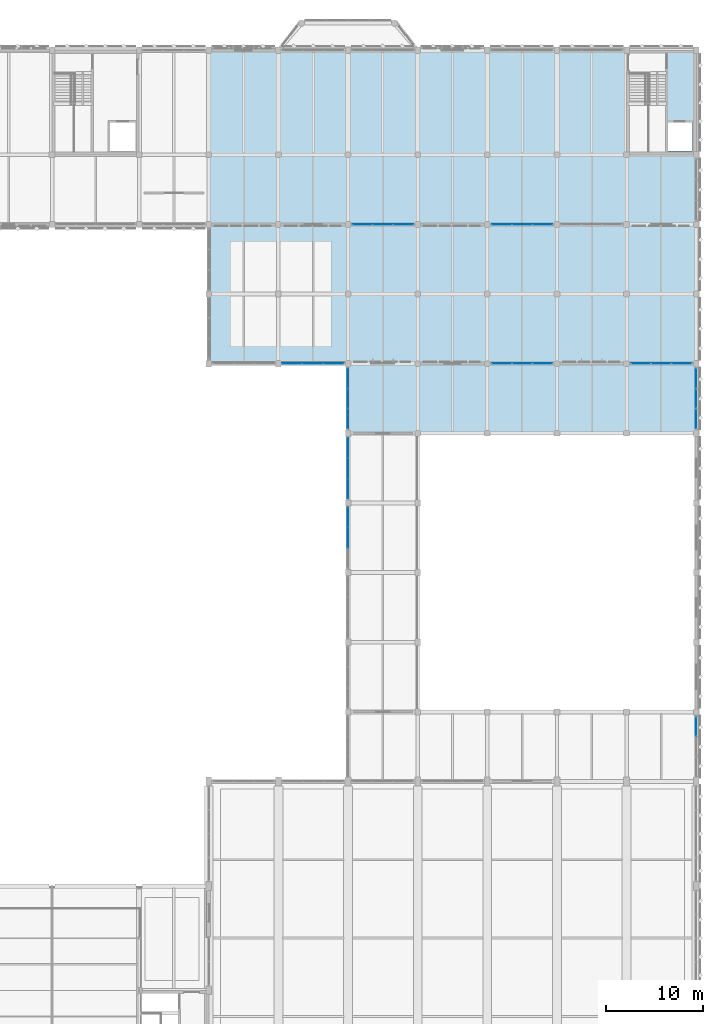
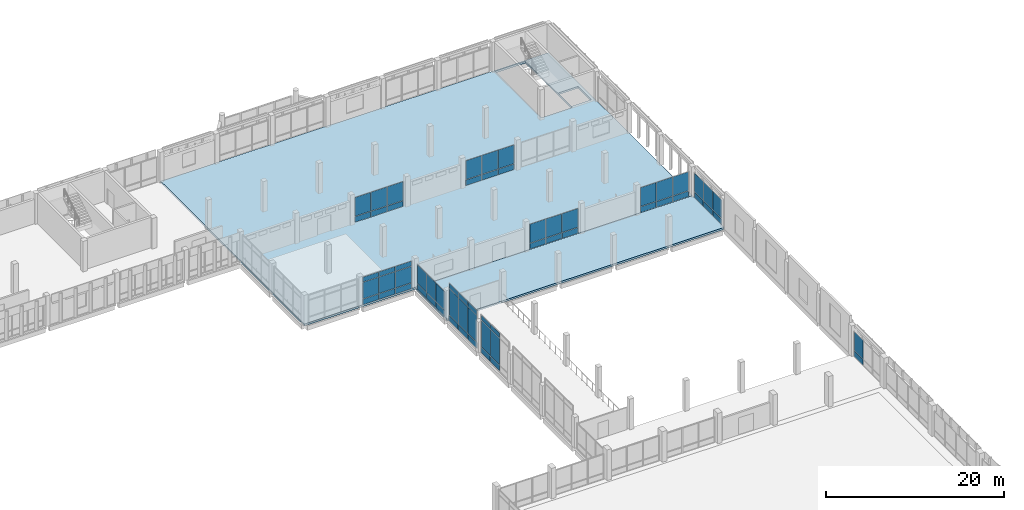
# One storey, part 127 of 158: 62 plates, 2 slabs, 10 elements without a shape of their own.
"""IFC4 building model written with IfcOpenShell, lengths in metres."""

from ifc_helpers import new_model, si_unit, direction, frame, origin, origin_2d, place, context, subcontext, project, spatial, polyline, rectangle, outline, extrude, material, layer, layer_set, type_object, element, aggregate, save


model = new_model("IFC4")

# Units and contexts
model_context = context("Model", 3, precision=1e-05, world=origin(), true_north=direction((0.0, 1.0)))
body_context = subcontext(model_context, "Body", "Model", "MODEL_VIEW")
ifc_project = project(units=[si_unit("LENGTHUNIT", "METRE"), si_unit("AREAUNIT", "SQUARE_METRE"), si_unit("VOLUMEUNIT", "CUBIC_METRE"), si_unit("PLANEANGLEUNIT", "RADIAN"), si_unit("MASSUNIT", "GRAM", prefix="KILO")], contexts=[model_context])

# Site, building, storey
site_placement = place(None, origin())
site = spatial("IfcSite", under=ifc_project, at=site_placement, CompositionType="ELEMENT")
building_placement = place(site_placement, origin())
building = spatial("IfcBuilding", under=site, at=building_placement, Name="Lusvemor Sports Hall", CompositionType="ELEMENT")
storey_placement = place(building_placement, frame((0.0, 0.0, 10.800048828125)))
storey = spatial("IfcBuildingStorey", under=building, at=storey_placement, Name="L02", CompositionType="ELEMENT", Elevation=10.800048828125)

# Curtain wall, plates
ifc_material_1 = material(Name="Thermally broken bronze-anodized aluminium", Category="aluminium")
curtain_wall_type_1 = type_object("IfcCurtainWallType", Name="CW_CLIMB_D", PredefinedType="NOTDEFINED", material=ifc_material_1)
curtain_wall_1_placement = place(storey_placement, origin())
curtain_wall_1 = element("IfcCurtainWall", 1, at=curtain_wall_1_placement, inside=storey, type_object=curtain_wall_type_1, Name="Curtain Wall CW-V3W-L02-2", PredefinedType="NOTDEFINED")
ifc_material_2 = material(Name="Solar-control laminated double glazing", Category="glass")
ifc_layer_1 = layer(ifc_material_2, 0.028076171875)
ifc_layer_set_1 = layer_set([ifc_layer_1], Name="Solar-control laminated double glazing")
plate_type_1 = type_object("IfcPlateType", Name="CW_PAN_GLZ_28", PredefinedType="CURTAIN_PANEL", material=ifc_layer_set_1)
plate_1_placement = place(storey_placement, frame((133.199951171875, 64.800048828125, 0.8798828125), z_axis=(0.0, 0.0, 1.0), x_axis=(0.0, 1.0, 0.0)))
plate_1 = element("IfcPlate", 2, at=plate_1_placement, type_object=plate_type_1, Name="CW04 panel 2.2", PredefinedType="CURTAIN_PANEL", context=body_context, shape_type="SweptSolid", body=[
    extrude(rectangle(XDim=2.054931640625, YDim=0.028076171875, at=origin_2d()), origin(), (0.0, 0.0, 1.0), 3.639892578125),
])
plate_2_placement = place(storey_placement, frame((133.199951171875, 64.800048828125, 4.580078125), z_axis=(0.0, 0.0, 1.0), x_axis=(0.0, 1.0, 0.0)))
plate_2 = element("IfcPlate", 3, at=plate_2_placement, type_object=plate_type_1, Name="CW04 panel 2.3", PredefinedType="CURTAIN_PANEL", context=body_context, shape_type="SweptSolid", body=[
    extrude(rectangle(XDim=2.054931640625, YDim=0.028076171875, at=origin_2d()), origin(), (0.0, 0.0, 1.0), 0.659912109375),
])
plate_3_placement = place(storey_placement, frame((133.199951171875, 66.90380859375, 0.8798828125), z_axis=(0.0, 0.0, 1.0), x_axis=(0.0, 1.0, 0.0)))
plate_3 = element("IfcPlate", 4, at=plate_3_placement, type_object=plate_type_1, Name="CW04 panel 3.2", PredefinedType="CURTAIN_PANEL", context=body_context, shape_type="SweptSolid", body=[
    extrude(rectangle(XDim=2.0224609375, YDim=0.028076171875, at=origin_2d()), origin(), (0.0, 0.0, 1.0), 3.639892578125),
])
plate_4_placement = place(storey_placement, frame((133.199951171875, 66.90380859375, 4.580078125), z_axis=(0.0, 0.0, 1.0), x_axis=(0.0, 1.0, 0.0)))
plate_4 = element("IfcPlate", 5, at=plate_4_placement, type_object=plate_type_1, Name="CW04 panel 3.3", PredefinedType="CURTAIN_PANEL", context=body_context, shape_type="SweptSolid", body=[
    extrude(rectangle(XDim=2.0224609375, YDim=0.028076171875, at=origin_2d()), origin(), (0.0, 0.0, 1.0), 0.659912109375),
])

curtain_wall_2_placement = place(storey_placement, origin())
curtain_wall_2 = element("IfcCurtainWall", 6, at=curtain_wall_2_placement, inside=storey, type_object=curtain_wall_type_1, Name="Curtain Wall CW-V3W-L02-3", PredefinedType="NOTDEFINED")
plate_5_placement = place(storey_placement, frame((133.199951171875, 69.896240234375, 0.8798828125), z_axis=(0.0, 0.0, 1.0), x_axis=(0.0, 1.0, 0.0)))
plate_5 = element("IfcPlate", 7, at=plate_5_placement, type_object=plate_type_1, Name="CW04 panel 1.2", PredefinedType="CURTAIN_PANEL", context=body_context, shape_type="SweptSolid", body=[
    extrude(rectangle(XDim=2.0224609375, YDim=0.028076171875, at=origin_2d()), origin(), (0.0, 0.0, 1.0), 3.639892578125),
])
plate_6_placement = place(storey_placement, frame((133.199951171875, 69.896240234375, 4.580078125), z_axis=(0.0, 0.0, 1.0), x_axis=(0.0, 1.0, 0.0)))
plate_6 = element("IfcPlate", 8, at=plate_6_placement, type_object=plate_type_1, Name="CW04 panel 1.3", PredefinedType="CURTAIN_PANEL", context=body_context, shape_type="SweptSolid", body=[
    extrude(rectangle(XDim=2.0224609375, YDim=0.028076171875, at=origin_2d()), origin(), (0.0, 0.0, 1.0), 0.659912109375),
])
plate_7_placement = place(storey_placement, frame((133.199951171875, 72.0, 0.8798828125), z_axis=(0.0, 0.0, 1.0), x_axis=(0.0, 1.0, 0.0)))
plate_7 = element("IfcPlate", 9, at=plate_7_placement, type_object=plate_type_1, Name="CW04 panel 2.2", PredefinedType="CURTAIN_PANEL", context=body_context, shape_type="SweptSolid", body=[
    extrude(rectangle(XDim=2.054931640625, YDim=0.028076171875, at=origin_2d()), origin(), (0.0, 0.0, 1.0), 3.639892578125),
])
plate_8_placement = place(storey_placement, frame((133.199951171875, 72.0, 4.580078125), z_axis=(0.0, 0.0, 1.0), x_axis=(0.0, 1.0, 0.0)))
plate_8 = element("IfcPlate", 10, at=plate_8_placement, type_object=plate_type_1, Name="CW04 panel 2.3", PredefinedType="CURTAIN_PANEL", context=body_context, shape_type="SweptSolid", body=[
    extrude(rectangle(XDim=2.054931640625, YDim=0.028076171875, at=origin_2d()), origin(), (0.0, 0.0, 1.0), 0.659912109375),
])
plate_9_placement = place(storey_placement, frame((133.199951171875, 74.103759765625, 0.8798828125), z_axis=(0.0, 0.0, 1.0), x_axis=(0.0, 1.0, 0.0)))
plate_9 = element("IfcPlate", 11, at=plate_9_placement, type_object=plate_type_1, Name="CW04 panel 3.2", PredefinedType="CURTAIN_PANEL", context=body_context, shape_type="SweptSolid", body=[
    extrude(rectangle(XDim=2.0224609375, YDim=0.028076171875, at=origin_2d()), origin(), (0.0, 0.0, 1.0), 3.639892578125),
])
plate_10_placement = place(storey_placement, frame((133.199951171875, 74.103759765625, 4.580078125), z_axis=(0.0, 0.0, 1.0), x_axis=(0.0, 1.0, 0.0)))
plate_10 = element("IfcPlate", 12, at=plate_10_placement, type_object=plate_type_1, Name="CW04 panel 3.3", PredefinedType="CURTAIN_PANEL", context=body_context, shape_type="SweptSolid", body=[
    extrude(rectangle(XDim=2.0224609375, YDim=0.028076171875, at=origin_2d()), origin(), (0.0, 0.0, 1.0), 0.659912109375),
])

ifc_material_3 = material(Name="Thermally broken bronze-anodized aluminium", Category="aluminium")
curtain_wall_type_2 = type_object("IfcCurtainWallType", Name="CW_WING_B", PredefinedType="NOTDEFINED", material=ifc_material_3)
curtain_wall_3_placement = place(storey_placement, origin())
curtain_wall_3 = element("IfcCurtainWall", 13, at=curtain_wall_3_placement, inside=storey, type_object=curtain_wall_type_2, Name="Curtain Wall CW-L02-S-3-12", PredefinedType="NOTDEFINED")
plate_11_placement = place(storey_placement, frame((138.90380859375, 97.199951171875, 0.8798828125), z_axis=(0.0, 0.0, 1.0), x_axis=(-1.0, 0.0, 0.0)))
plate_11 = element("IfcPlate", 14, at=plate_11_placement, type_object=plate_type_1, Name="CW02 panel 1.2", PredefinedType="CURTAIN_PANEL", context=body_context, shape_type="SweptSolid", body=[
    extrude(rectangle(XDim=2.0224609375, YDim=0.028076171875, at=origin_2d()), origin(), (0.0, 0.0, 1.0), 2.580078125),
])
plate_12_placement = place(storey_placement, frame((136.800048828125, 97.199951171875, 0.8798828125), z_axis=(0.0, 0.0, 1.0), x_axis=(-1.0, 0.0, 0.0)))
plate_12 = element("IfcPlate", 15, at=plate_12_placement, type_object=plate_type_1, Name="CW02 panel 2.2", PredefinedType="CURTAIN_PANEL", context=body_context, shape_type="SweptSolid", body=[
    extrude(rectangle(XDim=2.054931640625, YDim=0.028076171875, at=origin_2d()), origin(), (0.0, 0.0, 1.0), 2.580078125),
])
plate_13_placement = place(storey_placement, frame((134.6962890625, 97.199951171875, 0.8798828125), z_axis=(0.0, 0.0, 1.0), x_axis=(-1.0, 0.0, 0.0)))
plate_13 = element("IfcPlate", 16, at=plate_13_placement, type_object=plate_type_1, Name="CW02 panel 3.2", PredefinedType="CURTAIN_PANEL", context=body_context, shape_type="SweptSolid", body=[
    extrude(rectangle(XDim=2.0224609375, YDim=0.028076171875, at=origin_2d()), origin(), (0.0, 0.0, 1.0), 2.580078125),
])

curtain_wall_4_placement = place(storey_placement, origin())
curtain_wall_4 = element("IfcCurtainWall", 17, at=curtain_wall_4_placement, inside=storey, type_object=curtain_wall_type_2, Name="Curtain Wall CW-L02-S-3-14", PredefinedType="NOTDEFINED")
plate_14_placement = place(storey_placement, frame((153.3037109375, 97.199951171875, 0.8798828125), z_axis=(0.0, 0.0, 1.0), x_axis=(-1.0, 0.0, 0.0)))
plate_14 = element("IfcPlate", 18, at=plate_14_placement, type_object=plate_type_1, Name="CW02 panel 1.2", PredefinedType="CURTAIN_PANEL", context=body_context, shape_type="SweptSolid", body=[
    extrude(rectangle(XDim=2.0224609375, YDim=0.028076171875, at=origin_2d()), origin(), (0.0, 0.0, 1.0), 2.580078125),
])
plate_15_placement = place(storey_placement, frame((151.199951171875, 97.199951171875, 0.8798828125), z_axis=(0.0, 0.0, 1.0), x_axis=(-1.0, 0.0, 0.0)))
plate_15 = element("IfcPlate", 19, at=plate_15_placement, type_object=plate_type_1, Name="CW02 panel 2.2", PredefinedType="CURTAIN_PANEL", context=body_context, shape_type="SweptSolid", body=[
    extrude(rectangle(XDim=2.054931640625, YDim=0.028076171875, at=origin_2d()), origin(), (0.0, 0.0, 1.0), 2.580078125),
])
plate_16_placement = place(storey_placement, frame((149.09619140625, 97.199951171875, 0.8798828125), z_axis=(0.0, 0.0, 1.0), x_axis=(-1.0, 0.0, 0.0)))
plate_16 = element("IfcPlate", 20, at=plate_16_placement, type_object=plate_type_1, Name="CW02 panel 3.2", PredefinedType="CURTAIN_PANEL", context=body_context, shape_type="SweptSolid", body=[
    extrude(rectangle(XDim=2.0224609375, YDim=0.028076171875, at=origin_2d()), origin(), (0.0, 0.0, 1.0), 2.580078125),
])

curtain_wall_5_placement = place(storey_placement, origin())
curtain_wall_5 = element("IfcCurtainWall", 21, at=curtain_wall_5_placement, inside=storey, type_object=curtain_wall_type_2, Name="Curtain Wall CW-L02-N-4-2", PredefinedType="NOTDEFINED")
plate_17_placement = place(storey_placement, frame((149.09619140625, 82.800048828125, 0.8798828125), z_axis=(0.0, 0.0, 1.0), x_axis=(1.0, 0.0, 0.0)))
plate_17 = element("IfcPlate", 22, at=plate_17_placement, type_object=plate_type_1, Name="CW02 panel 1.2", PredefinedType="CURTAIN_PANEL", context=body_context, shape_type="SweptSolid", body=[
    extrude(rectangle(XDim=2.0224609375, YDim=0.028076171875, at=origin_2d()), origin(), (0.0, 0.0, 1.0), 2.580078125),
])
plate_18_placement = place(storey_placement, frame((151.199951171875, 82.800048828125, 0.8798828125), z_axis=(0.0, 0.0, 1.0), x_axis=(1.0, 0.0, 0.0)))
plate_18 = element("IfcPlate", 23, at=plate_18_placement, type_object=plate_type_1, Name="CW02 panel 2.2", PredefinedType="CURTAIN_PANEL", context=body_context, shape_type="SweptSolid", body=[
    extrude(rectangle(XDim=2.054931640625, YDim=0.028076171875, at=origin_2d()), origin(), (0.0, 0.0, 1.0), 2.580078125),
])
plate_19_placement = place(storey_placement, frame((153.3037109375, 82.800048828125, 0.8798828125), z_axis=(0.0, 0.0, 1.0), x_axis=(1.0, 0.0, 0.0)))
plate_19 = element("IfcPlate", 24, at=plate_19_placement, type_object=plate_type_1, Name="CW02 panel 3.2", PredefinedType="CURTAIN_PANEL", context=body_context, shape_type="SweptSolid", body=[
    extrude(rectangle(XDim=2.0224609375, YDim=0.028076171875, at=origin_2d()), origin(), (0.0, 0.0, 1.0), 2.580078125),
])

curtain_wall_6_placement = place(storey_placement, origin())
curtain_wall_6 = element("IfcCurtainWall", 25, at=curtain_wall_6_placement, inside=storey, type_object=curtain_wall_type_2, Name="Curtain Wall CW-L02-N-4-4", PredefinedType="NOTDEFINED")
plate_20_placement = place(storey_placement, frame((163.496337890625, 82.800048828125, 0.8798828125), z_axis=(0.0, 0.0, 1.0), x_axis=(1.0, 0.0, 0.0)))
plate_20 = element("IfcPlate", 26, at=plate_20_placement, type_object=plate_type_1, Name="CW02 panel 1.2", PredefinedType="CURTAIN_PANEL", context=body_context, shape_type="SweptSolid", body=[
    extrude(rectangle(XDim=2.0224609375, YDim=0.028076171875, at=origin_2d()), origin(), (0.0, 0.0, 1.0), 2.580078125),
])
plate_21_placement = place(storey_placement, frame((165.60009765625, 82.800048828125, 0.8798828125), z_axis=(0.0, 0.0, 1.0), x_axis=(1.0, 0.0, 0.0)))
plate_21 = element("IfcPlate", 27, at=plate_21_placement, type_object=plate_type_1, Name="CW02 panel 2.2", PredefinedType="CURTAIN_PANEL", context=body_context, shape_type="SweptSolid", body=[
    extrude(rectangle(XDim=2.054931640625, YDim=0.028076171875, at=origin_2d()), origin(), (0.0, 0.0, 1.0), 2.580078125),
])
plate_22_placement = place(storey_placement, frame((167.703857421875, 82.800048828125, 0.8798828125), z_axis=(0.0, 0.0, 1.0), x_axis=(1.0, 0.0, 0.0)))
plate_22 = element("IfcPlate", 28, at=plate_22_placement, type_object=plate_type_1, Name="CW02 panel 3.2", PredefinedType="CURTAIN_PANEL", context=body_context, shape_type="SweptSolid", body=[
    extrude(rectangle(XDim=2.0224609375, YDim=0.028076171875, at=origin_2d()), origin(), (0.0, 0.0, 1.0), 2.580078125),
])

# Curtain wall, plate
ifc_material_4 = material(Name="Thermally broken bronze-anodized aluminium", Category="aluminium")
curtain_wall_type_3 = type_object("IfcCurtainWallType", Name="CW_PASSAGE_E", PredefinedType="NOTDEFINED", material=ifc_material_4)
curtain_wall_7_placement = place(storey_placement, origin())
curtain_wall_7 = element("IfcCurtainWall", 29, at=curtain_wall_7_placement, inside=storey, type_object=curtain_wall_type_3, Name="Curtain Wall CW-ELINK-169-L02", PredefinedType="NOTDEFINED")
plate_23_placement = place(storey_placement, frame((169.199951171875, 45.297119140625, 0.8798828125), z_axis=(0.0, 0.0, 1.0), x_axis=(0.0, 1.0, 0.0)))
plate_23 = element("IfcPlate", 30, at=plate_23_placement, type_object=plate_type_1, Name="CW05 panel 3.2", PredefinedType="CURTAIN_PANEL", context=body_context, shape_type="SweptSolid", body=[
    extrude(rectangle(XDim=1.995849609375, YDim=0.028076171875, at=origin_2d()), origin(), (0.0, 0.0, 1.0), 2.56005859375),
])

# Curtain wall, plates
curtain_wall_8_placement = place(storey_placement, origin())
curtain_wall_8 = element("IfcCurtainWall", 31, at=curtain_wall_8_placement, inside=storey, type_object=curtain_wall_type_3, Name="Curtain Wall CW-NLINK-133-L02", PredefinedType="NOTDEFINED")
plate_24_placement = place(storey_placement, frame((133.199951171875, 77.109619140625, 0.8798828125), z_axis=(0.0, 0.0, 1.0), x_axis=(0.0, 1.0, 0.0)))
plate_24 = element("IfcPlate", 32, at=plate_24_placement, type_object=plate_type_1, Name="CW05 panel 1.2", PredefinedType="CURTAIN_PANEL", context=body_context, shape_type="SweptSolid", body=[
    extrude(rectangle(XDim=2.00927734375, YDim=0.028076171875, at=origin_2d()), origin(), (0.0, 0.0, 1.0), 2.56005859375),
])
plate_25_placement = place(storey_placement, frame((133.199951171875, 79.199951171875, 0.8798828125), z_axis=(0.0, 0.0, 1.0), x_axis=(0.0, 1.0, 0.0)))
plate_25 = element("IfcPlate", 33, at=plate_25_placement, type_object=plate_type_1, Name="CW05 panel 2.2", PredefinedType="CURTAIN_PANEL", context=body_context, shape_type="SweptSolid", body=[
    extrude(rectangle(XDim=2.041748046875, YDim=0.028076171875, at=origin_2d()), origin(), (0.0, 0.0, 1.0), 2.56005859375),
])
plate_26_placement = place(storey_placement, frame((133.199951171875, 81.29052734375, 0.8798828125), z_axis=(0.0, 0.0, 1.0), x_axis=(0.0, 1.0, 0.0)))
plate_26 = element("IfcPlate", 34, at=plate_26_placement, type_object=plate_type_1, Name="CW05 panel 3.2", PredefinedType="CURTAIN_PANEL", context=body_context, shape_type="SweptSolid", body=[
    extrude(rectangle(XDim=2.00927734375, YDim=0.028076171875, at=origin_2d()), origin(), (0.0, 0.0, 1.0), 2.56005859375),
])

curtain_wall_9_placement = place(storey_placement, origin())
curtain_wall_9 = element("IfcCurtainWall", 35, at=curtain_wall_9_placement, inside=storey, type_object=curtain_wall_type_3, Name="Curtain Wall CW-NLINK-169-L02", PredefinedType="NOTDEFINED")
plate_27_placement = place(storey_placement, frame((169.199951171875, 77.109619140625, 0.8798828125), z_axis=(0.0, 0.0, 1.0), x_axis=(0.0, 1.0, 0.0)))
plate_27 = element("IfcPlate", 36, at=plate_27_placement, type_object=plate_type_1, Name="CW05 panel 1.2", PredefinedType="CURTAIN_PANEL", context=body_context, shape_type="SweptSolid", body=[
    extrude(rectangle(XDim=2.00927734375, YDim=0.028076171875, at=origin_2d()), origin(), (0.0, 0.0, 1.0), 2.56005859375),
])
plate_28_placement = place(storey_placement, frame((169.199951171875, 79.199951171875, 0.8798828125), z_axis=(0.0, 0.0, 1.0), x_axis=(0.0, 1.0, 0.0)))
plate_28 = element("IfcPlate", 37, at=plate_28_placement, type_object=plate_type_1, Name="CW05 panel 2.2", PredefinedType="CURTAIN_PANEL", context=body_context, shape_type="SweptSolid", body=[
    extrude(rectangle(XDim=2.041748046875, YDim=0.028076171875, at=origin_2d()), origin(), (0.0, 0.0, 1.0), 2.56005859375),
])
plate_29_placement = place(storey_placement, frame((169.199951171875, 81.29052734375, 0.8798828125), z_axis=(0.0, 0.0, 1.0), x_axis=(0.0, 1.0, 0.0)))
plate_29 = element("IfcPlate", 38, at=plate_29_placement, type_object=plate_type_1, Name="CW05 panel 3.2", PredefinedType="CURTAIN_PANEL", context=body_context, shape_type="SweptSolid", body=[
    extrude(rectangle(XDim=2.00927734375, YDim=0.028076171875, at=origin_2d()), origin(), (0.0, 0.0, 1.0), 2.56005859375),
])

curtain_wall_10_placement = place(storey_placement, origin())
curtain_wall_10 = element("IfcCurtainWall", 39, at=curtain_wall_10_placement, inside=storey, type_object=curtain_wall_type_2, Name="Curtain Wall CW-V5NE-S-L02-A", PredefinedType="NOTDEFINED")
plate_30_placement = place(storey_placement, frame((131.668701171875, 82.800048828125, 0.830078125), z_axis=(0.0, 0.0, 1.0), x_axis=(-1.0, 0.0, 0.0)))
plate_30 = element("IfcPlate", 40, at=plate_30_placement, type_object=plate_type_1, Name="CW02 panel 1.2", PredefinedType="CURTAIN_PANEL", context=body_context, shape_type="SweptSolid", body=[
    extrude(rectangle(XDim=2.052490234375, YDim=0.028076171875, at=origin_2d()), origin(), (0.0, 0.0, 1.0), 2.239990234375),
])
plate_31_placement = place(storey_placement, frame((131.668701171875, 82.800048828125, 3.1298828125), z_axis=(0.0, 0.0, 1.0), x_axis=(-1.0, 0.0, 0.0)))
plate_31 = element("IfcPlate", 41, at=plate_31_placement, type_object=plate_type_1, Name="CW02 panel 1.3", PredefinedType="CURTAIN_PANEL", context=body_context, shape_type="SweptSolid", body=[
    extrude(rectangle(XDim=2.052490234375, YDim=0.028076171875, at=origin_2d()), origin(), (0.0, 0.0, 1.0), 0.659912109375),
])
plate_32_placement = place(storey_placement, frame((129.534912109375, 82.800048828125, 0.830078125), z_axis=(0.0, 0.0, 1.0), x_axis=(-1.0, 0.0, 0.0)))
plate_32 = element("IfcPlate", 42, at=plate_32_placement, type_object=plate_type_1, Name="CW02 panel 2.2", PredefinedType="CURTAIN_PANEL", context=body_context, shape_type="SweptSolid", body=[
    extrude(rectangle(XDim=2.0849609375, YDim=0.028076171875, at=origin_2d()), origin(), (0.0, 0.0, 1.0), 2.239990234375),
])
plate_33_placement = place(storey_placement, frame((129.534912109375, 82.800048828125, 3.1298828125), z_axis=(0.0, 0.0, 1.0), x_axis=(-1.0, 0.0, 0.0)))
plate_33 = element("IfcPlate", 43, at=plate_33_placement, type_object=plate_type_1, Name="CW02 panel 2.3", PredefinedType="CURTAIN_PANEL", context=body_context, shape_type="SweptSolid", body=[
    extrude(rectangle(XDim=2.0849609375, YDim=0.028076171875, at=origin_2d()), origin(), (0.0, 0.0, 1.0), 0.659912109375),
])
plate_34_placement = place(storey_placement, frame((127.4013671875, 82.800048828125, 0.830078125), z_axis=(0.0, 0.0, 1.0), x_axis=(-1.0, 0.0, 0.0)))
plate_34 = element("IfcPlate", 44, at=plate_34_placement, type_object=plate_type_1, Name="CW02 panel 3.2", PredefinedType="CURTAIN_PANEL", context=body_context, shape_type="SweptSolid", body=[
    extrude(rectangle(XDim=2.052490234375, YDim=0.028076171875, at=origin_2d()), origin(), (0.0, 0.0, 1.0), 2.239990234375),
])
plate_35_placement = place(storey_placement, frame((127.4013671875, 82.800048828125, 3.1298828125), z_axis=(0.0, 0.0, 1.0), x_axis=(-1.0, 0.0, 0.0)))
plate_35 = element("IfcPlate", 45, at=plate_35_placement, type_object=plate_type_1, Name="CW02 panel 3.3", PredefinedType="CURTAIN_PANEL", context=body_context, shape_type="SweptSolid", body=[
    extrude(rectangle(XDim=2.052490234375, YDim=0.028076171875, at=origin_2d()), origin(), (0.0, 0.0, 1.0), 0.659912109375),
])

# Plate
ifc_material_5 = material(Name="Emerald polychrome glazed ceramic cladding on Concrete C40/50 backing", Category="concrete")
ifc_layer_2 = layer(ifc_material_5, 0.048095703125)
ifc_layer_set_2 = layer_set([ifc_layer_2], Name="Emerald polychrome glazed ceramic cladding on Concrete C40/50 backing")
plate_type_2 = type_object("IfcPlateType", Name="CW_PAN_SPN_48", PredefinedType="CURTAIN_PANEL", material=ifc_layer_set_2)
plate_36_placement = place(storey_placement, frame((133.199951171875, 64.800048828125, 0.06005859375), z_axis=(0.0, 0.0, 1.0), x_axis=(0.0, 1.0, 0.0)))
plate_36 = element("IfcPlate", 46, at=plate_36_placement, type_object=plate_type_2, Name="CW04 panel 2.1", PredefinedType="CURTAIN_PANEL", context=body_context, shape_type="SweptSolid", body=[
    extrude(rectangle(XDim=2.054931640625, YDim=0.048095703125, at=origin_2d()), origin(), (0.0, 0.0, 1.0), 0.760009765625),
])

plate_37_placement = place(storey_placement, frame((133.199951171875, 66.90380859375, 0.06005859375), z_axis=(0.0, 0.0, 1.0), x_axis=(0.0, 1.0, 0.0)))
plate_37 = element("IfcPlate", 47, at=plate_37_placement, type_object=plate_type_2, Name="CW04 panel 3.1", PredefinedType="CURTAIN_PANEL", context=body_context, shape_type="SweptSolid", body=[
    extrude(rectangle(XDim=2.0224609375, YDim=0.048095703125, at=origin_2d()), origin(), (0.0, 0.0, 1.0), 0.760009765625),
])

aggregate(curtain_wall_1, [plate_36, plate_1, plate_2, plate_37, plate_3, plate_4])

plate_38_placement = place(storey_placement, frame((133.199951171875, 69.896240234375, 0.06005859375), z_axis=(0.0, 0.0, 1.0), x_axis=(0.0, 1.0, 0.0)))
plate_38 = element("IfcPlate", 48, at=plate_38_placement, type_object=plate_type_2, Name="CW04 panel 1.1", PredefinedType="CURTAIN_PANEL", context=body_context, shape_type="SweptSolid", body=[
    extrude(rectangle(XDim=2.0224609375, YDim=0.048095703125, at=origin_2d()), origin(), (0.0, 0.0, 1.0), 0.760009765625),
])

plate_39_placement = place(storey_placement, frame((133.199951171875, 72.0, 0.06005859375), z_axis=(0.0, 0.0, 1.0), x_axis=(0.0, 1.0, 0.0)))
plate_39 = element("IfcPlate", 49, at=plate_39_placement, type_object=plate_type_2, Name="CW04 panel 2.1", PredefinedType="CURTAIN_PANEL", context=body_context, shape_type="SweptSolid", body=[
    extrude(rectangle(XDim=2.054931640625, YDim=0.048095703125, at=origin_2d()), origin(), (0.0, 0.0, 1.0), 0.760009765625),
])

plate_40_placement = place(storey_placement, frame((133.199951171875, 74.103759765625, 0.06005859375), z_axis=(0.0, 0.0, 1.0), x_axis=(0.0, 1.0, 0.0)))
plate_40 = element("IfcPlate", 50, at=plate_40_placement, type_object=plate_type_2, Name="CW04 panel 3.1", PredefinedType="CURTAIN_PANEL", context=body_context, shape_type="SweptSolid", body=[
    extrude(rectangle(XDim=2.0224609375, YDim=0.048095703125, at=origin_2d()), origin(), (0.0, 0.0, 1.0), 0.760009765625),
])

aggregate(curtain_wall_2, [plate_38, plate_5, plate_6, plate_39, plate_7, plate_8, plate_40, plate_9, plate_10])

plate_41_placement = place(storey_placement, frame((138.90380859375, 97.199951171875, 0.06005859375), z_axis=(0.0, 0.0, 1.0), x_axis=(-1.0, 0.0, 0.0)))
plate_41 = element("IfcPlate", 51, at=plate_41_placement, type_object=plate_type_2, Name="CW02 panel 1.1", PredefinedType="CURTAIN_PANEL", context=body_context, shape_type="SweptSolid", body=[
    extrude(rectangle(XDim=2.0224609375, YDim=0.048095703125, at=origin_2d()), origin(), (0.0, 0.0, 1.0), 0.760009765625),
])

plate_42_placement = place(storey_placement, frame((136.800048828125, 97.199951171875, 0.06005859375), z_axis=(0.0, 0.0, 1.0), x_axis=(-1.0, 0.0, 0.0)))
plate_42 = element("IfcPlate", 52, at=plate_42_placement, type_object=plate_type_2, Name="CW02 panel 2.1", PredefinedType="CURTAIN_PANEL", context=body_context, shape_type="SweptSolid", body=[
    extrude(rectangle(XDim=2.054931640625, YDim=0.048095703125, at=origin_2d()), origin(), (0.0, 0.0, 1.0), 0.760009765625),
])

plate_43_placement = place(storey_placement, frame((134.6962890625, 97.199951171875, 0.06005859375), z_axis=(0.0, 0.0, 1.0), x_axis=(-1.0, 0.0, 0.0)))
plate_43 = element("IfcPlate", 53, at=plate_43_placement, type_object=plate_type_2, Name="CW02 panel 3.1", PredefinedType="CURTAIN_PANEL", context=body_context, shape_type="SweptSolid", body=[
    extrude(rectangle(XDim=2.0224609375, YDim=0.048095703125, at=origin_2d()), origin(), (0.0, 0.0, 1.0), 0.760009765625),
])

aggregate(curtain_wall_3, [plate_41, plate_11, plate_42, plate_12, plate_43, plate_13])

plate_44_placement = place(storey_placement, frame((153.3037109375, 97.199951171875, 0.06005859375), z_axis=(0.0, 0.0, 1.0), x_axis=(-1.0, 0.0, 0.0)))
plate_44 = element("IfcPlate", 54, at=plate_44_placement, type_object=plate_type_2, Name="CW02 panel 1.1", PredefinedType="CURTAIN_PANEL", context=body_context, shape_type="SweptSolid", body=[
    extrude(rectangle(XDim=2.0224609375, YDim=0.048095703125, at=origin_2d()), origin(), (0.0, 0.0, 1.0), 0.760009765625),
])

plate_45_placement = place(storey_placement, frame((151.199951171875, 97.199951171875, 0.06005859375), z_axis=(0.0, 0.0, 1.0), x_axis=(-1.0, 0.0, 0.0)))
plate_45 = element("IfcPlate", 55, at=plate_45_placement, type_object=plate_type_2, Name="CW02 panel 2.1", PredefinedType="CURTAIN_PANEL", context=body_context, shape_type="SweptSolid", body=[
    extrude(rectangle(XDim=2.054931640625, YDim=0.048095703125, at=origin_2d()), origin(), (0.0, 0.0, 1.0), 0.760009765625),
])

plate_46_placement = place(storey_placement, frame((149.09619140625, 97.199951171875, 0.06005859375), z_axis=(0.0, 0.0, 1.0), x_axis=(-1.0, 0.0, 0.0)))
plate_46 = element("IfcPlate", 56, at=plate_46_placement, type_object=plate_type_2, Name="CW02 panel 3.1", PredefinedType="CURTAIN_PANEL", context=body_context, shape_type="SweptSolid", body=[
    extrude(rectangle(XDim=2.0224609375, YDim=0.048095703125, at=origin_2d()), origin(), (0.0, 0.0, 1.0), 0.760009765625),
])

aggregate(curtain_wall_4, [plate_44, plate_14, plate_45, plate_15, plate_46, plate_16])

plate_47_placement = place(storey_placement, frame((149.09619140625, 82.800048828125, 0.06005859375), z_axis=(0.0, 0.0, 1.0), x_axis=(1.0, 0.0, 0.0)))
plate_47 = element("IfcPlate", 57, at=plate_47_placement, type_object=plate_type_2, Name="CW02 panel 1.1", PredefinedType="CURTAIN_PANEL", context=body_context, shape_type="SweptSolid", body=[
    extrude(rectangle(XDim=2.0224609375, YDim=0.048095703125, at=origin_2d()), origin(), (0.0, 0.0, 1.0), 0.760009765625),
])

plate_48_placement = place(storey_placement, frame((151.199951171875, 82.800048828125, 0.06005859375), z_axis=(0.0, 0.0, 1.0), x_axis=(1.0, 0.0, 0.0)))
plate_48 = element("IfcPlate", 58, at=plate_48_placement, type_object=plate_type_2, Name="CW02 panel 2.1", PredefinedType="CURTAIN_PANEL", context=body_context, shape_type="SweptSolid", body=[
    extrude(rectangle(XDim=2.054931640625, YDim=0.048095703125, at=origin_2d()), origin(), (0.0, 0.0, 1.0), 0.760009765625),
])

plate_49_placement = place(storey_placement, frame((153.3037109375, 82.800048828125, 0.06005859375), z_axis=(0.0, 0.0, 1.0), x_axis=(1.0, 0.0, 0.0)))
plate_49 = element("IfcPlate", 59, at=plate_49_placement, type_object=plate_type_2, Name="CW02 panel 3.1", PredefinedType="CURTAIN_PANEL", context=body_context, shape_type="SweptSolid", body=[
    extrude(rectangle(XDim=2.0224609375, YDim=0.048095703125, at=origin_2d()), origin(), (0.0, 0.0, 1.0), 0.760009765625),
])

aggregate(curtain_wall_5, [plate_47, plate_17, plate_48, plate_18, plate_49, plate_19])

plate_50_placement = place(storey_placement, frame((163.496337890625, 82.800048828125, 0.06005859375), z_axis=(0.0, 0.0, 1.0), x_axis=(1.0, 0.0, 0.0)))
plate_50 = element("IfcPlate", 60, at=plate_50_placement, type_object=plate_type_2, Name="CW02 panel 1.1", PredefinedType="CURTAIN_PANEL", context=body_context, shape_type="SweptSolid", body=[
    extrude(rectangle(XDim=2.0224609375, YDim=0.048095703125, at=origin_2d()), origin(), (0.0, 0.0, 1.0), 0.760009765625),
])

plate_51_placement = place(storey_placement, frame((165.60009765625, 82.800048828125, 0.06005859375), z_axis=(0.0, 0.0, 1.0), x_axis=(1.0, 0.0, 0.0)))
plate_51 = element("IfcPlate", 61, at=plate_51_placement, type_object=plate_type_2, Name="CW02 panel 2.1", PredefinedType="CURTAIN_PANEL", context=body_context, shape_type="SweptSolid", body=[
    extrude(rectangle(XDim=2.054931640625, YDim=0.048095703125, at=origin_2d()), origin(), (0.0, 0.0, 1.0), 0.760009765625),
])

plate_52_placement = place(storey_placement, frame((167.703857421875, 82.800048828125, 0.06005859375), z_axis=(0.0, 0.0, 1.0), x_axis=(1.0, 0.0, 0.0)))
plate_52 = element("IfcPlate", 62, at=plate_52_placement, type_object=plate_type_2, Name="CW02 panel 3.1", PredefinedType="CURTAIN_PANEL", context=body_context, shape_type="SweptSolid", body=[
    extrude(rectangle(XDim=2.0224609375, YDim=0.048095703125, at=origin_2d()), origin(), (0.0, 0.0, 1.0), 0.760009765625),
])

aggregate(curtain_wall_6, [plate_50, plate_20, plate_51, plate_21, plate_52, plate_22])

plate_53_placement = place(storey_placement, frame((169.199951171875, 45.297119140625, 0.06005859375), z_axis=(0.0, 0.0, 1.0), x_axis=(0.0, 1.0, 0.0)))
plate_53 = element("IfcPlate", 63, at=plate_53_placement, type_object=plate_type_2, Name="CW05 panel 3.1", PredefinedType="CURTAIN_PANEL", context=body_context, shape_type="SweptSolid", body=[
    extrude(rectangle(XDim=1.995849609375, YDim=0.048095703125, at=origin_2d()), origin(), (0.0, 0.0, 1.0), 0.760009765625),
])

aggregate(curtain_wall_7, [plate_53, plate_23])

plate_54_placement = place(storey_placement, frame((133.199951171875, 77.109619140625, 0.06005859375), z_axis=(0.0, 0.0, 1.0), x_axis=(0.0, 1.0, 0.0)))
plate_54 = element("IfcPlate", 64, at=plate_54_placement, type_object=plate_type_2, Name="CW05 panel 1.1", PredefinedType="CURTAIN_PANEL", context=body_context, shape_type="SweptSolid", body=[
    extrude(rectangle(XDim=2.00927734375, YDim=0.048095703125, at=origin_2d()), origin(), (0.0, 0.0, 1.0), 0.760009765625),
])

plate_55_placement = place(storey_placement, frame((133.199951171875, 79.199951171875, 0.06005859375), z_axis=(0.0, 0.0, 1.0), x_axis=(0.0, 1.0, 0.0)))
plate_55 = element("IfcPlate", 65, at=plate_55_placement, type_object=plate_type_2, Name="CW05 panel 2.1", PredefinedType="CURTAIN_PANEL", context=body_context, shape_type="SweptSolid", body=[
    extrude(rectangle(XDim=2.041748046875, YDim=0.048095703125, at=origin_2d()), origin(), (0.0, 0.0, 1.0), 0.760009765625),
])

plate_56_placement = place(storey_placement, frame((133.199951171875, 81.29052734375, 0.06005859375), z_axis=(0.0, 0.0, 1.0), x_axis=(0.0, 1.0, 0.0)))
plate_56 = element("IfcPlate", 66, at=plate_56_placement, type_object=plate_type_2, Name="CW05 panel 3.1", PredefinedType="CURTAIN_PANEL", context=body_context, shape_type="SweptSolid", body=[
    extrude(rectangle(XDim=2.00927734375, YDim=0.048095703125, at=origin_2d()), origin(), (0.0, 0.0, 1.0), 0.760009765625),
])

aggregate(curtain_wall_8, [plate_54, plate_24, plate_55, plate_25, plate_56, plate_26])

plate_57_placement = place(storey_placement, frame((169.199951171875, 77.109619140625, 0.06005859375), z_axis=(0.0, 0.0, 1.0), x_axis=(0.0, 1.0, 0.0)))
plate_57 = element("IfcPlate", 67, at=plate_57_placement, type_object=plate_type_2, Name="CW05 panel 1.1", PredefinedType="CURTAIN_PANEL", context=body_context, shape_type="SweptSolid", body=[
    extrude(rectangle(XDim=2.00927734375, YDim=0.048095703125, at=origin_2d()), origin(), (0.0, 0.0, 1.0), 0.760009765625),
])

plate_58_placement = place(storey_placement, frame((169.199951171875, 79.199951171875, 0.06005859375), z_axis=(0.0, 0.0, 1.0), x_axis=(0.0, 1.0, 0.0)))
plate_58 = element("IfcPlate", 68, at=plate_58_placement, type_object=plate_type_2, Name="CW05 panel 2.1", PredefinedType="CURTAIN_PANEL", context=body_context, shape_type="SweptSolid", body=[
    extrude(rectangle(XDim=2.041748046875, YDim=0.048095703125, at=origin_2d()), origin(), (0.0, 0.0, 1.0), 0.760009765625),
])

plate_59_placement = place(storey_placement, frame((169.199951171875, 81.29052734375, 0.06005859375), z_axis=(0.0, 0.0, 1.0), x_axis=(0.0, 1.0, 0.0)))
plate_59 = element("IfcPlate", 69, at=plate_59_placement, type_object=plate_type_2, Name="CW05 panel 3.1", PredefinedType="CURTAIN_PANEL", context=body_context, shape_type="SweptSolid", body=[
    extrude(rectangle(XDim=2.00927734375, YDim=0.048095703125, at=origin_2d()), origin(), (0.0, 0.0, 1.0), 0.760009765625),
])

aggregate(curtain_wall_9, [plate_57, plate_27, plate_58, plate_28, plate_59, plate_29])

plate_60_placement = place(storey_placement, frame((131.668701171875, 82.800048828125, 0.009765625), z_axis=(0.0, 0.0, 1.0), x_axis=(-1.0, 0.0, 0.0)))
plate_60 = element("IfcPlate", 70, at=plate_60_placement, type_object=plate_type_2, Name="CW02 panel 1.1", PredefinedType="CURTAIN_PANEL", context=body_context, shape_type="SweptSolid", body=[
    extrude(rectangle(XDim=2.052490234375, YDim=0.048095703125, at=origin_2d()), origin(), (0.0, 0.0, 1.0), 0.760009765625),
])

plate_61_placement = place(storey_placement, frame((129.534912109375, 82.800048828125, 0.009765625), z_axis=(0.0, 0.0, 1.0), x_axis=(-1.0, 0.0, 0.0)))
plate_61 = element("IfcPlate", 71, at=plate_61_placement, type_object=plate_type_2, Name="CW02 panel 2.1", PredefinedType="CURTAIN_PANEL", context=body_context, shape_type="SweptSolid", body=[
    extrude(rectangle(XDim=2.0849609375, YDim=0.048095703125, at=origin_2d()), origin(), (0.0, 0.0, 1.0), 0.760009765625),
])

plate_62_placement = place(storey_placement, frame((127.4013671875, 82.800048828125, 0.009765625), z_axis=(0.0, 0.0, 1.0), x_axis=(-1.0, 0.0, 0.0)))
plate_62 = element("IfcPlate", 72, at=plate_62_placement, type_object=plate_type_2, Name="CW02 panel 3.1", PredefinedType="CURTAIN_PANEL", context=body_context, shape_type="SweptSolid", body=[
    extrude(rectangle(XDim=2.052490234375, YDim=0.048095703125, at=origin_2d()), origin(), (0.0, 0.0, 1.0), 0.760009765625),
])

aggregate(curtain_wall_10, [plate_60, plate_30, plate_31, plate_61, plate_32, plate_33, plate_62, plate_34, plate_35])

# Slabs
ifc_material_6 = material(Name="Concrete C40/50", Category="concrete")
ifc_layer_3 = layer(ifc_material_6, 0.260009765625)
ifc_layer_set_3 = layer_set([ifc_layer_3], Name="Concrete C40/50")
slab_type = type_object("IfcSlabType", Name="SLAB_INT_260", PredefinedType="FLOOR", material=ifc_layer_set_3)
slab_1_placement = place(storey_placement, frame((0.0, 0.0, -0.260009765625)))
element("IfcSlab", 73, at=slab_1_placement, inside=storey, type_object=slab_type, Name="Slab L02 V5-NLINK", PredefinedType="FLOOR", context=body_context, shape_type="SweptSolid", body=[
    extrude(outline(polyline([(133.199951171875, 75.60009765625), (169.199951171875, 75.60009765625), (169.199951171875, 82.800048828125), (133.199951171875, 82.800048828125), (133.199951171875, 75.60009765625)])), origin(), (0.0, 0.0, 1.0), 0.260009765625),
])
slab_2_placement = place(storey_placement, frame((0.0, 0.0, -0.260009765625)))
element("IfcSlab", 74, at=slab_2_placement, inside=storey, type_object=slab_type, Name="Slab L02 V5-NE", PredefinedType="FLOOR", context=body_context, shape_type="SweptSolid", body=[
    extrude(outline(polyline([(118.800048828125, 82.800048828125), (169.199951171875, 82.800048828125), (169.199951171875, 115.199951171875), (118.800048828125, 115.199951171875), (118.800048828125, 82.800048828125)]), holes=[polyline([(162.159912109375, 104.56005859375), (166.139892578125, 104.56005859375), (166.139892578125, 115.0400390625), (162.159912109375, 115.0400390625), (162.159912109375, 104.56005859375)]), polyline([(166.199951171875, 104.800048828125), (168.800048828125, 104.800048828125), (168.800048828125, 107.800048828125), (166.199951171875, 107.800048828125), (166.199951171875, 104.800048828125)])]), origin(), (0.0, 0.0, 1.0), 0.260009765625),
])

save(model, "model.ifc")
